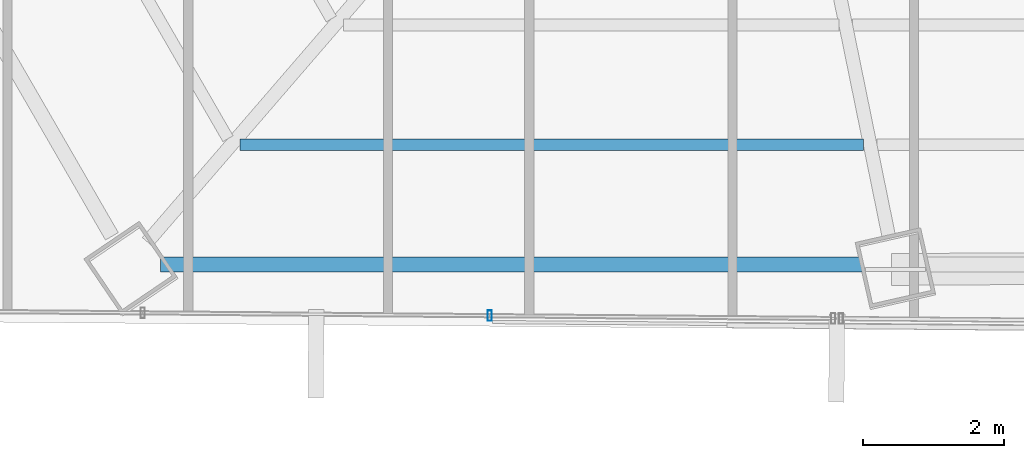
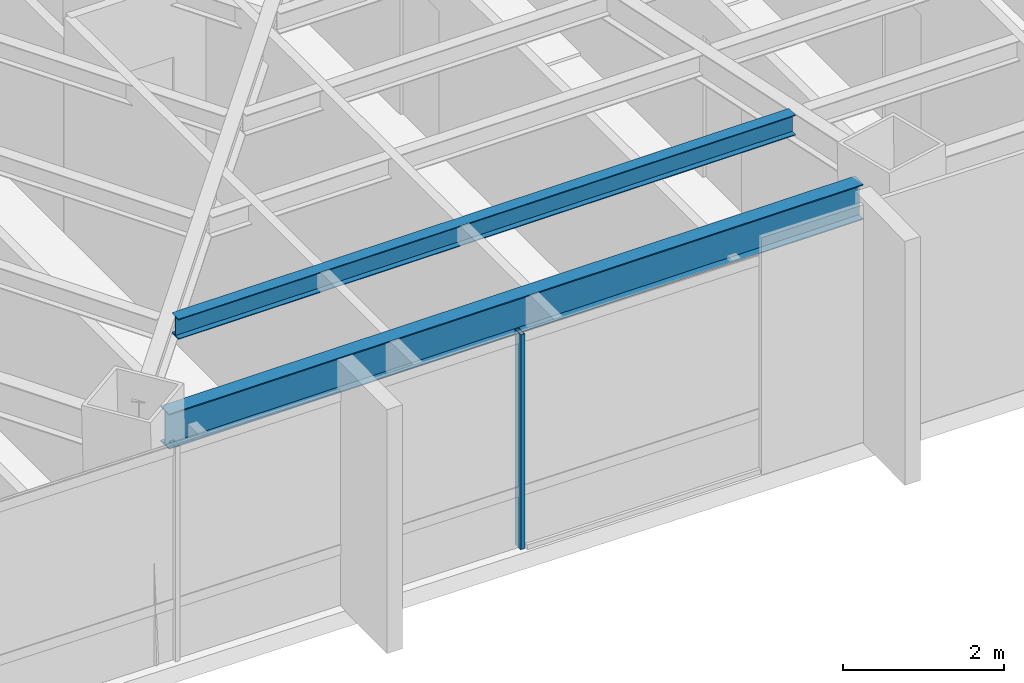
# One storey, part 4 of 40: 2 beams, 1 member, 1 element without a shape of its own.
"""IFC4 building model written with IfcOpenShell, lengths in metres."""

import ifcopenshell
import ifcopenshell.guid

model = None  # the IFC model being written
_history = None  # IfcOwnerHistory: only IFC2X3 demands one
_inside = {}  # id of a spatial element -> (the spatial element, [elements in it])
_under = {}  # id of a project, library or spatial element -> (it, [spatial elements below it])
_declared = {}  # id of a project -> (the project, [libraries it declares])
_typed = {}  # id of a type object -> (the type object, [elements of that type])
_made_of = {}  # id of a material, layer set ... -> (it, [elements and type objects made of it])


def new_model(schema):
    """Start an empty IFC model of exactly this schema.

    Asked for "IFC4X3", IfcOpenShell would pick the latest addendum, in which some entities
    have other attributes; the version numbers below select the first issue.
    IFC2X3 requires an IfcOwnerHistory on every rooted entity: one is made here for all.
    """
    global model, _history
    if schema == "IFC4X3":
        model = ifcopenshell.file(schema_version=(4, 3, 0, 0))
    else:
        model = ifcopenshell.file(schema=schema)
    _inside.clear()
    _under.clear()
    _declared.clear()
    _typed.clear()
    _made_of.clear()
    _history = None
    if model.schema == "IFC2X3":
        org = make("IfcOrganization", Name="unknown")
        user = make(
            "IfcPersonAndOrganization",
            ThePerson=make("IfcPerson", FamilyName="unknown"),
            TheOrganization=org,
        )
        app = make(
            "IfcApplication",
            ApplicationDeveloper=org,
            Version="unknown",
            ApplicationFullName="unknown",
            ApplicationIdentifier="unknown",
        )
        _history = make(
            "IfcOwnerHistory",
            OwningUser=user,
            OwningApplication=app,
            ChangeAction="ADDED",
            CreationDate=0,
        )
    return model


def make(cls, **values):
    """One entity of the class cls with the attributes given. An attribute that is None is left unset."""
    return model.create_entity(
        cls, **{name: value for name, value in values.items() if value is not None}
    )


def rooted(cls, **values):
    """An entity with a GlobalId (a new one), such as an element, a storey or a relation."""
    return make(cls, GlobalId=ifcopenshell.guid.new(), OwnerHistory=_history, **values)


def si_unit(unit_type, name, prefix=None):
    """IfcSIUnit, for example si_unit("LENGTHUNIT", "METRE", prefix="MILLI")."""
    return make("IfcSIUnit", UnitType=unit_type, Prefix=prefix, Name=name)


def assignment(units):
    """IfcUnitAssignment: the units of a project."""
    return None if units is None else make("IfcUnitAssignment", Units=units)


def point(xyz):
    """IfcCartesianPoint."""
    return None if xyz is None else make("IfcCartesianPoint", Coordinates=xyz)


def direction(xyz):
    """IfcDirection."""
    return None if xyz is None else make("IfcDirection", DirectionRatios=xyz)


def frame(location, z_axis=None, x_axis=None):
    """IfcAxis2Placement3D, a coordinate frame: its origin and axes. An axis left out is left unset."""
    return make(
        "IfcAxis2Placement3D",
        Location=point(location),
        Axis=direction(z_axis),
        RefDirection=direction(x_axis),
    )


def frame_2d(location, x_axis=None):
    """IfcAxis2Placement2D, a coordinate frame in the plane: its origin and x axis."""
    return make(
        "IfcAxis2Placement2D", Location=point(location), RefDirection=direction(x_axis)
    )


def origin():
    """The frame at (0, 0, 0) with its axes left unset."""
    return frame((0.0, 0.0, 0.0))


def origin_2d():
    """The frame at (0, 0) in the plane with its x axis left unset."""
    return frame_2d((0.0, 0.0))


def place(relative_to, where):
    """IfcLocalPlacement: puts the frame where relative to a parent placement (None: the world)."""
    return make(
        "IfcLocalPlacement", PlacementRelTo=relative_to, RelativePlacement=where
    )


def context(
    kind, dimensions, precision=None, world=None, true_north=None, identifier=None
):
    """IfcGeometricRepresentationContext, for example the 3D "Model" context."""
    return make(
        "IfcGeometricRepresentationContext",
        ContextIdentifier=identifier,
        ContextType=kind,
        CoordinateSpaceDimension=dimensions,
        Precision=precision,
        WorldCoordinateSystem=world,
        TrueNorth=true_north,
    )


def subcontext(parent, identifier, kind, view, scale=None):
    """IfcGeometricRepresentationSubContext, for example "Body" below "Model"."""
    return make(
        "IfcGeometricRepresentationSubContext",
        ContextIdentifier=identifier,
        ContextType=kind,
        ParentContext=parent,
        TargetScale=scale,
        TargetView=view,
    )


def project(units=None, contexts=None):
    """IfcProject with its units and contexts."""
    return rooted(
        "IfcProject",
        Name="project",
        RepresentationContexts=contexts,
        UnitsInContext=assignment(units),
    )


def spatial(cls, under=None, at=None, **own):
    """A site, building, storey or space (cls), placed at a placement, below another one or the project."""
    s = rooted(cls, ObjectPlacement=at, **own)
    if under is not None:
        _under.setdefault(under.id(), (under, []))[1].append(s)
    return s


def profile(cls, at=None, kind="AREA", **sizes):
    """A parametric profile (cls). Its sizes go by their IFC names, for example OverallWidth=200.0."""
    return make(cls, ProfileType=kind, Position=at, **sizes)


def hollow_rectangle(**sizes):
    """IfcRectangleHollowProfileDef."""
    return profile("IfcRectangleHollowProfileDef", **sizes)


def i_section(**sizes):
    """IfcIShapeProfileDef."""
    return profile("IfcIShapeProfileDef", **sizes)


def extrude(swept, where, along, depth):
    """IfcExtrudedAreaSolid: the profile swept, set in the frame where, extruded along a direction by depth."""
    return make(
        "IfcExtrudedAreaSolid",
        SweptArea=swept,
        Position=where,
        ExtrudedDirection=direction(along),
        Depth=depth,
    )


def shape(context_of_items, identifier, shape_type, items):
    """IfcShapeRepresentation: the items that make up one representation, for example the "Body"."""
    return make(
        "IfcShapeRepresentation",
        ContextOfItems=context_of_items,
        RepresentationIdentifier=identifier,
        RepresentationType=shape_type,
        Items=items,
    )


def source(mapping_origin, context_of_items, identifier, shape_type, items):
    """IfcRepresentationMap: a shape defined once, which mapped items show again and again."""
    return make(
        "IfcRepresentationMap",
        MappingOrigin=mapping_origin,
        MappedRepresentation=shape(context_of_items, identifier, shape_type, items),
    )


def transform(
    local_origin,
    x_axis=None,
    y_axis=None,
    z_axis=None,
    scale=None,
    scale2=None,
    scale3=None,
    uniform=True,
):
    """IfcCartesianTransformationOperator3D, or its non-uniform kind. x_axis, y_axis, z_axis: its Axis1, 2, 3."""
    if uniform:
        return make(
            "IfcCartesianTransformationOperator3D",
            Axis1=direction(x_axis),
            Axis2=direction(y_axis),
            LocalOrigin=point(local_origin),
            Scale=scale,
            Axis3=direction(z_axis),
        )
    return make(
        "IfcCartesianTransformationOperator3DnonUniform",
        Axis1=direction(x_axis),
        Axis2=direction(y_axis),
        LocalOrigin=point(local_origin),
        Scale=scale,
        Axis3=direction(z_axis),
        Scale2=scale2,
        Scale3=scale3,
    )


def mapped(mapping_source, mapping_target):
    """IfcMappedItem: shows the shape of a source again, moved by a transform."""
    return make(
        "IfcMappedItem", MappingSource=mapping_source, MappingTarget=mapping_target
    )


def material(Name=None, Category=None):
    """IfcMaterial."""
    return make("IfcMaterial", Name=Name, Category=Category)


def material_profile(
    of_material, cross_section, Name=None, Category=None, Priority=None
):
    """IfcMaterialProfile: a cross section and its material."""
    return make(
        "IfcMaterialProfile",
        Name=Name,
        Material=of_material,
        Profile=cross_section,
        Priority=Priority,
        Category=Category,
    )


def profile_set(profiles, Name=None, composite=None):
    """IfcMaterialProfileSet."""
    return make(
        "IfcMaterialProfileSet",
        Name=Name,
        MaterialProfiles=profiles,
        CompositeProfile=composite,
    )


def made_of(thing, what):
    """Note that an element or type object is made of a material, layer set ...; save() writes the relation."""
    if what is not None:
        _made_of.setdefault(what.id(), (what, []))[1].append(thing)
    return thing


def type_object(cls, material=None, **own):
    """A type object (cls), such as IfcWallType, which elements share."""
    return made_of(rooted(cls, **own), material)


def type_shapes(of_type, sources):
    """Give a type object the sources (RepresentationMaps) that its elements show as mapped items."""
    of_type.RepresentationMaps = sources


def element(
    cls,
    number,
    at=None,
    inside=None,
    cuts=None,
    type_object=None,
    material=None,
    context=None,
    identifier="Body",
    shape_type=None,
    held_by="IfcProductDefinitionShape",
    body=None,
    shapes=None,
    **own,
):
    """One element of the class cls, such as IfcWall. Its Tag is "e" and its number.

    at: its placement. inside: the storey or other place that contains it. cuts: it is an
    opening in that element (IfcRelVoidsElement). A single representation is given by context,
    identifier, shape_type and body (its items); several are given by shapes. held_by: the class
    of the entity that holds the representations. save() writes the other relations.
    """
    e = rooted(cls, Tag="e%d" % number, ObjectPlacement=at, **own)
    if body is not None:
        shapes = [shape(context, identifier, shape_type, body)]
    if shapes is not None:
        e.Representation = make(held_by, Representations=shapes)
    if inside is not None:
        _inside.setdefault(inside.id(), (inside, []))[1].append(e)
    if cuts is not None:
        rooted(
            "IfcRelVoidsElement", RelatingBuildingElement=cuts, RelatedOpeningElement=e
        )
    if type_object is not None:
        _typed.setdefault(type_object.id(), (type_object, []))[1].append(e)
    return made_of(e, material)


def aggregate(whole, parts):
    """IfcRelAggregates: a whole, such as a stair, and the parts it consists of."""
    return rooted("IfcRelAggregates", RelatingObject=whole, RelatedObjects=parts)


def save(model, path):
    """Write the relations noted so far, then the file.

    IfcRelAggregates (storeys below a building ...), IfcRelContainedInSpatialStructure (elements
    in a storey), IfcRelDefinesByType, IfcRelAssociatesMaterial and IfcRelDeclares: one each for
    every whole, place, type object, material and project.
    """
    for whole, parts in _under.values():
        aggregate(whole, parts)
    for where, things in _inside.values():
        rooted(
            "IfcRelContainedInSpatialStructure",
            RelatedElements=things,
            RelatingStructure=where,
        )
    for kind, things in _typed.values():
        rooted("IfcRelDefinesByType", RelatedObjects=things, RelatingType=kind)
    for what, things in _made_of.values():
        rooted("IfcRelAssociatesMaterial", RelatedObjects=things, RelatingMaterial=what)
    for by, libraries in _declared.values():
        rooted("IfcRelDeclares", RelatingContext=by, RelatedDefinitions=libraries)
    model.write(path)


model = new_model("IFC4")

# Units and contexts
model_context = context("Model", 3, precision=1e-05, world=origin(), true_north=direction((0.0, 1.0)))
body_context = subcontext(model_context, "Body", "Model", "MODEL_VIEW")
ifc_project = project(units=[si_unit("LENGTHUNIT", "METRE"), si_unit("AREAUNIT", "SQUARE_METRE"), si_unit("VOLUMEUNIT", "CUBIC_METRE"), si_unit("PLANEANGLEUNIT", "RADIAN"), si_unit("MASSUNIT", "GRAM", prefix="KILO")], contexts=[model_context])

# Site, building, storey
site_placement = place(None, origin())
site = spatial("IfcSite", under=ifc_project, at=site_placement, CompositionType="ELEMENT")
building_placement = place(site_placement, origin())
building = spatial("IfcBuilding", under=site, at=building_placement, Name="Caelisora Broadcast Tower", CompositionType="ELEMENT")
storey_placement = place(building_placement, frame((0.0, 0.0, 146.39990234375)))
storey = spatial("IfcBuildingStorey", under=building, at=storey_placement, Name="L38", CompositionType="ELEMENT", Elevation=146.39990234375)

# Beams
ifc_material_1 = material(Name="Steel Grade 350 (AS/NZS 3679.1)", Category="steel")
ifc_material_profile_1 = material_profile(ifc_material_1, i_section(OverallWidth=0.208984375, OverallDepth=0.532958984375, WebThickness=0.01025390625, FlangeThickness=0.015625, at=origin_2d()), Name="Steel Grade 350 (AS/NZS 3679.1)")
ifc_profile_set_1 = profile_set([ifc_material_profile_1], Name="Steel Grade 350 (AS/NZS 3679.1)")
beam_type_1 = type_object("IfcBeamType", Name="PG05", PredefinedType="BEAM", material=ifc_profile_set_1)
shared_shape_1 = source(origin(), body_context, "Body", "SweptSolid", [
    extrude(i_section(OverallWidth=0.208984375, OverallDepth=0.532958984375, WebThickness=0.01025390625, FlangeThickness=0.015625, at=origin_2d()), origin(), (0.0, 0.0, 1.0), 9.934326171875),
])
type_shapes(beam_type_1, [shared_shape_1])
beam_1_placement = place(storey_placement, frame((22.178466796875, 7.225341796875, 2.983642578125), z_axis=(1.0, 0.0, 0.0), x_axis=(0.0, 1.0, 0.0)))
element("IfcBeam", 1, at=beam_1_placement, inside=storey, type_object=beam_type_1, Name="L38 beam PG05", PredefinedType="BEAM", context=body_context, shape_type="MappedRepresentation", body=[
    mapped(shared_shape_1, transform((0.0, 0.0, 0.0), scale=1.0)),
])
ifc_material_profile_2 = material_profile(ifc_material_1, i_section(OverallWidth=0.166015625, OverallDepth=0.30712890625, WebThickness=0.006591796875, FlangeThickness=0.01171875, at=origin_2d()), Name="Steel Grade 350 (AS/NZS 3679.1)")
ifc_profile_set_2 = profile_set([ifc_material_profile_2], Name="Steel Grade 350 (AS/NZS 3679.1)")
beam_type_2 = type_object("IfcBeamType", Name="SB03", PredefinedType="JOIST", material=ifc_profile_set_2)
shared_shape_2 = source(origin(), body_context, "Body", "SweptSolid", [
    extrude(i_section(OverallWidth=0.166015625, OverallDepth=0.30712890625, WebThickness=0.006591796875, FlangeThickness=0.01171875, at=origin_2d()), origin(), (0.0, 0.0, 1.0), 8.827392578125),
])
type_shapes(beam_type_2, [shared_shape_2])
beam_2_placement = place(storey_placement, frame((23.305419921875, 8.921142578125, 3.096435546875), z_axis=(1.0, 0.0, 0.0), x_axis=(0.0, 1.0, 0.0)))
element("IfcBeam", 2, at=beam_2_placement, inside=storey, type_object=beam_type_2, Name="L38 beam SB03", PredefinedType="JOIST", context=body_context, shape_type="MappedRepresentation", body=[
    mapped(shared_shape_2, transform((0.0, 0.0, 0.0), scale=1.0)),
])

# Curtain wall, member
ifc_material_2 = material(Name="Unitised Aluminium and Low-E Glass Curtain Wall", Category="glass")
curtain_wall_type = type_object("IfcCurtainWallType", Name="CW-Z3", PredefinedType="NOTDEFINED", material=ifc_material_2)
curtain_wall_placement = place(storey_placement, origin())
curtain_wall = element("IfcCurtainWall", 3, at=curtain_wall_placement, inside=storey, type_object=curtain_wall_type, Name="L38 curtain wall CW-Z3", PredefinedType="NOTDEFINED")
ifc_material_3 = material(Name="Aluminium 6063-T6 Anodised Terracotta Bronze", Category="aluminium")
ifc_material_profile_3 = material_profile(ifc_material_3, hollow_rectangle(XDim=0.06005859375, YDim=0.14990234375, WallThickness=0.00341796875, at=origin_2d()), Name="Aluminium 6063-T6 Anodised Terracotta Bronze")
ifc_profile_set_3 = profile_set([ifc_material_profile_3], Name="Aluminium 6063-T6 Anodised Terracotta Bronze")
member_type = type_object("IfcMemberType", Name="CWM-03", PredefinedType="MULLION", material=ifc_profile_set_3)
shared_shape_3 = source(origin(), body_context, "Body", "SweptSolid", [
    extrude(hollow_rectangle(XDim=0.06005859375, YDim=0.14990234375, WallThickness=0.00341796875, at=origin_2d()), origin(), (0.0, 0.0, 1.0), 3.25),
])
type_shapes(member_type, [shared_shape_3])
member_placement = place(storey_placement, frame((26.839111328125, 6.4990234375, 0.0), z_axis=(0.0, 0.0, 1.0), x_axis=(1.0, 0.0, 0.0)))
member = element("IfcMember", 4, at=member_placement, type_object=member_type, Name="L38-CW-B07 mullion #1", PredefinedType="MULLION", context=body_context, shape_type="MappedRepresentation", body=[
    mapped(shared_shape_3, transform((0.0, 0.0, 0.0), scale=1.0)),
])
aggregate(curtain_wall, [member])

save(model, "model.ifc")
